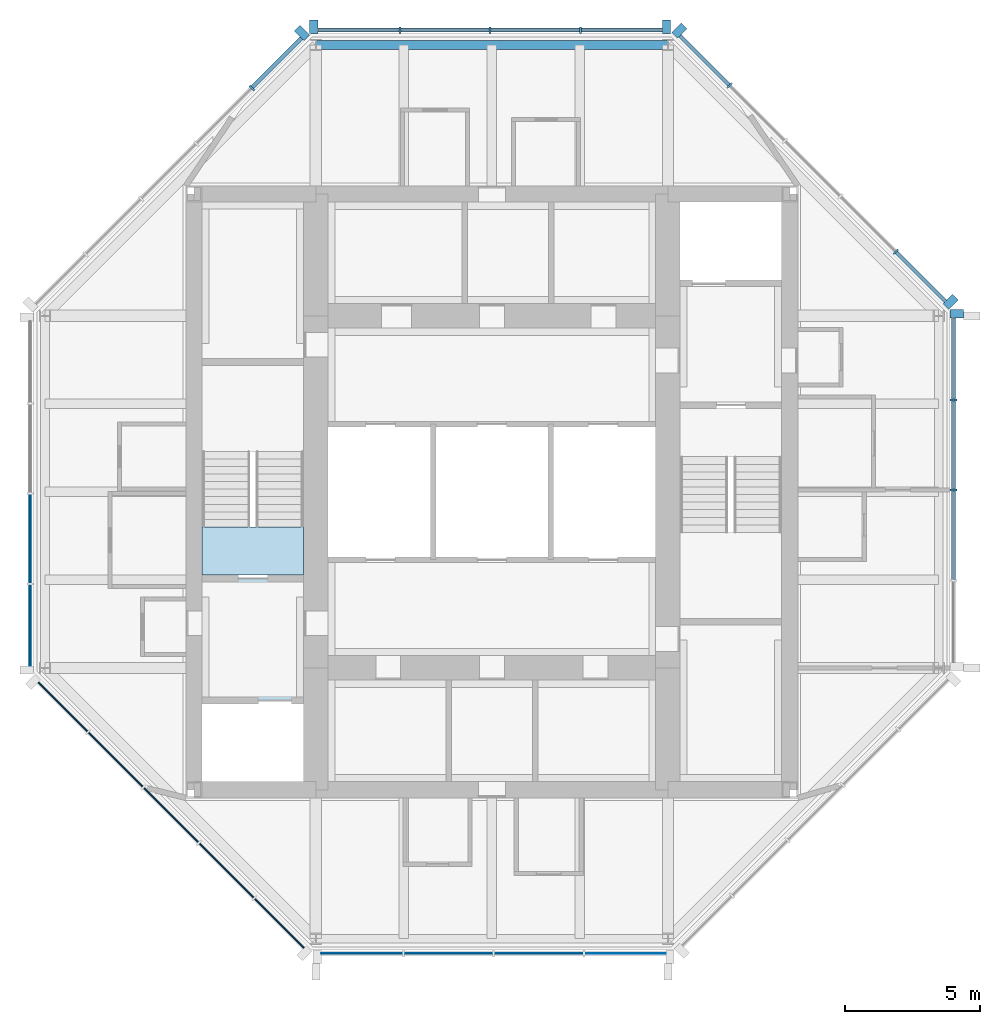
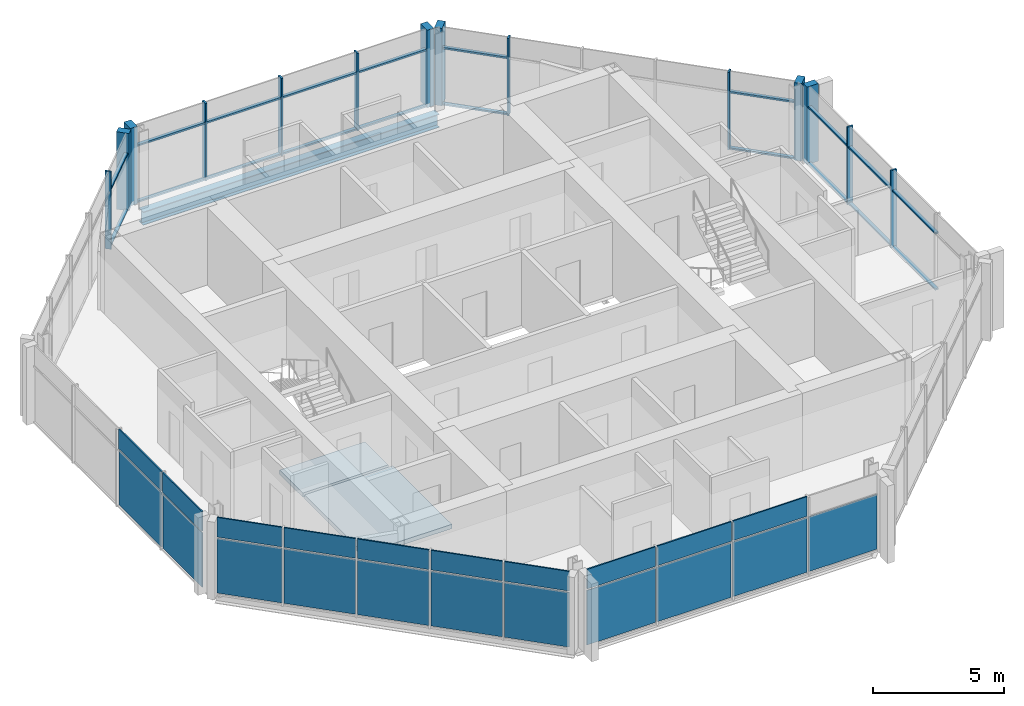
# One storey, part 3 of 8: 34 members, 21 plates, 2 slabs, 1 beam, 8 elements without a shape of their own.
"""IFC4 building model written with IfcOpenShell, lengths in metres."""

from ifc_helpers import new_model, si_unit, direction, frame, origin, origin_2d, place, context, subcontext, project, spatial, polyline, rectangle, i_section, outline, extrude, material, layer, layer_set, material_profile, profile_set, type_object, element, aggregate, save


model = new_model("IFC4")

# Units and contexts
model_context = context("Model", 3, precision=1e-05, world=origin(), true_north=direction((0.0, 1.0)))
body_context = subcontext(model_context, "Body", "Model", "MODEL_VIEW")
ifc_project = project(units=[si_unit("LENGTHUNIT", "METRE"), si_unit("AREAUNIT", "SQUARE_METRE"), si_unit("VOLUMEUNIT", "CUBIC_METRE"), si_unit("PLANEANGLEUNIT", "RADIAN"), si_unit("MASSUNIT", "GRAM", prefix="KILO")], contexts=[model_context])

# Site, building, storey
site_placement = place(None, origin())
site = spatial("IfcSite", under=ifc_project, at=site_placement, CompositionType="ELEMENT")
building_placement = place(site_placement, origin())
building = spatial("IfcBuilding", under=site, at=building_placement, Name="Trevanion Tower", CompositionType="ELEMENT")
storey_placement = place(building_placement, frame((0.0, 0.0, 270.39990234375)))
storey = spatial("IfcBuildingStorey", under=building, at=storey_placement, Name="L66", CompositionType="ELEMENT", Elevation=270.39990234375)

# Curtain wall, members
ifc_material_1 = material(Name="Aluminium and glass", Category="aluminium")
curtain_wall_type = type_object("IfcCurtainWallType", Name="CW4 curtain wall", PredefinedType="USERDEFINED", material=ifc_material_1)
curtain_wall_1_placement = place(storey_placement, origin())
curtain_wall_1 = element("IfcCurtainWall", 1, at=curtain_wall_1_placement, inside=storey, type_object=curtain_wall_type, Name="CW4 L66 0", ObjectType="UNITISED CURTAIN WALL", PredefinedType="USERDEFINED")
ifc_material_2 = material(Name="Aluminium extrusion, anodised bronze", Category="aluminium")
ifc_material_profile_1 = material_profile(ifc_material_2, rectangle(XDim=0.074951171875, YDim=0.25, at=origin_2d()), Name="CW4 mullion")
ifc_profile_set_1 = profile_set([ifc_material_profile_1], Name="Aluminium extrusion, anodised bronze")
member_type_1 = type_object("IfcMemberType", Name="CW4 mullion", PredefinedType="MULLION", material=ifc_profile_set_1)
member_1_placement = place(storey_placement, frame((17.050048828125, 0.06494140625, -0.18994140625), z_axis=(0.0, 0.0, 1.0), x_axis=(0.0, 1.0, 0.0)))
member_1 = element("IfcMember", 2, at=member_1_placement, type_object=member_type_1, Name="CW4 mullion 3", PredefinedType="MULLION", context=body_context, shape_type="SweptSolid", body=[
    extrude(rectangle(XDim=0.074951171875, YDim=0.25, at=origin_2d()), origin(), (0.0, 0.0, 1.0), 3.60009765625),
])
member_2_placement = place(storey_placement, frame((17.050048828125, 3.396484375, -0.18994140625), z_axis=(0.0, 0.0, 1.0), x_axis=(0.0, 1.0, 0.0)))
member_2 = element("IfcMember", 3, at=member_2_placement, type_object=member_type_1, Name="CW4 mullion 4", PredefinedType="MULLION", context=body_context, shape_type="SweptSolid", body=[
    extrude(rectangle(XDim=0.074951171875, YDim=0.25, at=origin_2d()), origin(), (0.0, 0.0, 1.0), 3.60009765625),
])

curtain_wall_2_placement = place(storey_placement, origin())
curtain_wall_2 = element("IfcCurtainWall", 4, at=curtain_wall_2_placement, inside=storey, type_object=curtain_wall_type, Name="CW4 L66 1", ObjectType="UNITISED CURTAIN WALL", PredefinedType="USERDEFINED")
member_3_placement = place(storey_placement, frame((14.912109375, 8.86572265625, -0.18994140625), z_axis=(0.0, 0.0, 1.0), x_axis=(-0.707106781187, 0.707106781187, 0.0)))
member_3 = element("IfcMember", 5, at=member_3_placement, type_object=member_type_1, Name="CW4 mullion 2", PredefinedType="MULLION", context=body_context, shape_type="SweptSolid", body=[
    extrude(rectangle(XDim=0.074951171875, YDim=0.25, at=origin_2d()), origin(), (0.0, 0.0, 1.0), 3.60009765625),
])
member_4_placement = place(storey_placement, frame((8.77392578125, 15.00390625, -0.18994140625), z_axis=(0.0, 0.0, 1.0), x_axis=(-0.707106781187, 0.707106781187, 0.0)))
member_4 = element("IfcMember", 6, at=member_4_placement, type_object=member_type_1, Name="CW4 mullion 5", PredefinedType="MULLION", context=body_context, shape_type="SweptSolid", body=[
    extrude(rectangle(XDim=0.074951171875, YDim=0.25, at=origin_2d()), origin(), (0.0, 0.0, 1.0), 3.60009765625),
])

curtain_wall_3_placement = place(storey_placement, origin())
curtain_wall_3 = element("IfcCurtainWall", 7, at=curtain_wall_3_placement, inside=storey, type_object=curtain_wall_type, Name="CW4 L66 2", ObjectType="UNITISED CURTAIN WALL", PredefinedType="USERDEFINED")
member_5_placement = place(storey_placement, frame((3.266357421875, 17.050048828125, -0.18994140625), z_axis=(0.0, 0.0, 1.0), x_axis=(-1.0, 0.0, 0.0)))
member_5 = element("IfcMember", 8, at=member_5_placement, type_object=member_type_1, Name="CW4 mullion 2", PredefinedType="MULLION", context=body_context, shape_type="SweptSolid", body=[
    extrude(rectangle(XDim=0.074951171875, YDim=0.25, at=origin_2d()), origin(), (0.0, 0.0, 1.0), 3.60009765625),
])
member_6_placement = place(storey_placement, frame((-0.06494140625, 17.050048828125, -0.18994140625), z_axis=(0.0, 0.0, 1.0), x_axis=(-1.0, 0.0, 0.0)))
member_6 = element("IfcMember", 9, at=member_6_placement, type_object=member_type_1, Name="CW4 mullion 3", PredefinedType="MULLION", context=body_context, shape_type="SweptSolid", body=[
    extrude(rectangle(XDim=0.074951171875, YDim=0.25, at=origin_2d()), origin(), (0.0, 0.0, 1.0), 3.60009765625),
])
member_7_placement = place(storey_placement, frame((-3.396484375, 17.050048828125, -0.18994140625), z_axis=(0.0, 0.0, 1.0), x_axis=(-1.0, 0.0, 0.0)))
member_7 = element("IfcMember", 10, at=member_7_placement, type_object=member_type_1, Name="CW4 mullion 4", PredefinedType="MULLION", context=body_context, shape_type="SweptSolid", body=[
    extrude(rectangle(XDim=0.074951171875, YDim=0.25, at=origin_2d()), origin(), (0.0, 0.0, 1.0), 3.60009765625),
])

# Curtain wall, member
curtain_wall_4_placement = place(storey_placement, origin())
curtain_wall_4 = element("IfcCurtainWall", 11, at=curtain_wall_4_placement, inside=storey, type_object=curtain_wall_type, Name="CW4 L66 3", ObjectType="UNITISED CURTAIN WALL", PredefinedType="USERDEFINED")
member_8_placement = place(storey_placement, frame((-8.86572265625, 14.912109375, -0.18994140625), z_axis=(0.0, 0.0, 1.0), x_axis=(-0.707106781187, -0.707106781187, 0.0)))
member_8 = element("IfcMember", 12, at=member_8_placement, type_object=member_type_1, Name="CW4 mullion 2", PredefinedType="MULLION", context=body_context, shape_type="SweptSolid", body=[
    extrude(rectangle(XDim=0.074951171875, YDim=0.25, at=origin_2d()), origin(), (0.0, 0.0, 1.0), 3.60009765625),
])

# Member
ifc_material_3 = material(Name="Aluminium extrusion, anodised bronze", Category="aluminium")
ifc_material_profile_2 = material_profile(ifc_material_3, rectangle(XDim=0.300048828125, YDim=0.5, at=origin_2d()), Name="CW4 pier mullion")
ifc_profile_set_2 = profile_set([ifc_material_profile_2], Name="Aluminium extrusion, anodised bronze")
member_type_2 = type_object("IfcMemberType", Name="CW4 pier mullion", PredefinedType="MULLION", material=ifc_profile_set_2)
member_9_placement = place(storey_placement, frame((17.175048828125, 6.577880859375, -0.18994140625), z_axis=(0.0, 0.0, 1.0), x_axis=(0.0, 1.0, 0.0)))
member_9 = element("IfcMember", 13, at=member_9_placement, type_object=member_type_2, Name="CW4 pier mullion 5", PredefinedType="MULLION", context=body_context, shape_type="SweptSolid", body=[
    extrude(rectangle(XDim=0.300048828125, YDim=0.5, at=origin_2d()), origin(), (0.0, 0.0, 1.0), 3.60009765625),
])

member_10_placement = place(storey_placement, frame((16.9404296875, 7.01416015625, -0.18994140625), z_axis=(0.0, 0.0, 1.0), x_axis=(-0.707106781187, 0.707106781187, 0.0)))
member_10 = element("IfcMember", 14, at=member_10_placement, type_object=member_type_2, Name="CW4 pier mullion 1", PredefinedType="MULLION", context=body_context, shape_type="SweptSolid", body=[
    extrude(rectangle(XDim=0.300048828125, YDim=0.5, at=origin_2d()), origin(), (0.0, 0.0, 1.0), 3.60009765625),
])

member_11_placement = place(storey_placement, frame((6.92236328125, 17.0322265625, -0.18994140625), z_axis=(0.0, 0.0, 1.0), x_axis=(-0.707106781187, 0.707106781187, 0.0)))
member_11 = element("IfcMember", 15, at=member_11_placement, type_object=member_type_2, Name="CW4 pier mullion 6", PredefinedType="MULLION", context=body_context, shape_type="SweptSolid", body=[
    extrude(rectangle(XDim=0.300048828125, YDim=0.5, at=origin_2d()), origin(), (0.0, 0.0, 1.0), 3.60009765625),
])

member_12_placement = place(storey_placement, frame((6.44775390625, 17.175048828125, -0.18994140625), z_axis=(0.0, 0.0, 1.0), x_axis=(-1.0, 0.0, 0.0)))
member_12 = element("IfcMember", 16, at=member_12_placement, type_object=member_type_2, Name="CW4 pier mullion 1", PredefinedType="MULLION", context=body_context, shape_type="SweptSolid", body=[
    extrude(rectangle(XDim=0.300048828125, YDim=0.5, at=origin_2d()), origin(), (0.0, 0.0, 1.0), 3.60009765625),
])

member_13_placement = place(storey_placement, frame((-6.577880859375, 17.175048828125, -0.18994140625), z_axis=(0.0, 0.0, 1.0), x_axis=(-1.0, 0.0, 0.0)))
member_13 = element("IfcMember", 17, at=member_13_placement, type_object=member_type_2, Name="CW4 pier mullion 5", PredefinedType="MULLION", context=body_context, shape_type="SweptSolid", body=[
    extrude(rectangle(XDim=0.300048828125, YDim=0.5, at=origin_2d()), origin(), (0.0, 0.0, 1.0), 3.60009765625),
])

member_14_placement = place(storey_placement, frame((-7.01416015625, 16.9404296875, -0.18994140625), z_axis=(0.0, 0.0, 1.0), x_axis=(-0.707106781187, -0.707106781187, 0.0)))
member_14 = element("IfcMember", 18, at=member_14_placement, type_object=member_type_2, Name="CW4 pier mullion 1", PredefinedType="MULLION", context=body_context, shape_type="SweptSolid", body=[
    extrude(rectangle(XDim=0.300048828125, YDim=0.5, at=origin_2d()), origin(), (0.0, 0.0, 1.0), 3.60009765625),
])

ifc_material_4 = material(Name="Aluminium extrusion, anodised bronze", Category="aluminium")
ifc_material_profile_3 = material_profile(ifc_material_4, rectangle(XDim=0.14990234375, YDim=0.074951171875, at=origin_2d()), Name="CW4 transom")
ifc_profile_set_3 = profile_set([ifc_material_profile_3], Name="Aluminium extrusion, anodised bronze")
member_type_3 = type_object("IfcMemberType", Name="CW4 transom", PredefinedType="USERDEFINED", material=ifc_profile_set_3)
member_15_placement = place(storey_placement, frame((17.050048828125, -3.22900390625, -0.15234375), z_axis=(0.0, 1.0, 0.0), x_axis=(-1.0, 0.0, 0.0)))
member_15 = element("IfcMember", 19, at=member_15_placement, type_object=member_type_3, Name="CW4 transom 2.1", ObjectType="TRANSOM", PredefinedType="USERDEFINED", context=body_context, shape_type="SweptSolid", body=[
    extrude(rectangle(XDim=0.14990234375, YDim=0.074951171875, at=origin_2d()), origin(), (0.0, 0.0, 1.0), 3.256591796875),
])

member_16_placement = place(storey_placement, frame((17.050048828125, -3.22900390625, 2.460205078125), z_axis=(0.0, 1.0, 0.0), x_axis=(-1.0, 0.0, 0.0)))
member_16 = element("IfcMember", 20, at=member_16_placement, type_object=member_type_3, Name="CW4 transom 2.2", ObjectType="TRANSOM", PredefinedType="USERDEFINED", context=body_context, shape_type="SweptSolid", body=[
    extrude(rectangle(XDim=0.14990234375, YDim=0.074951171875, at=origin_2d()), origin(), (0.0, 0.0, 1.0), 3.256591796875),
])

member_17_placement = place(storey_placement, frame((17.050048828125, 0.1025390625, -0.15234375), z_axis=(0.0, 1.0, 0.0), x_axis=(-1.0, 0.0, 0.0)))
member_17 = element("IfcMember", 21, at=member_17_placement, type_object=member_type_3, Name="CW4 transom 3.1", ObjectType="TRANSOM", PredefinedType="USERDEFINED", context=body_context, shape_type="SweptSolid", body=[
    extrude(rectangle(XDim=0.14990234375, YDim=0.074951171875, at=origin_2d()), origin(), (0.0, 0.0, 1.0), 3.25634765625),
])

member_18_placement = place(storey_placement, frame((17.050048828125, 0.1025390625, 2.460205078125), z_axis=(0.0, 1.0, 0.0), x_axis=(-1.0, 0.0, 0.0)))
member_18 = element("IfcMember", 22, at=member_18_placement, type_object=member_type_3, Name="CW4 transom 3.2", ObjectType="TRANSOM", PredefinedType="USERDEFINED", context=body_context, shape_type="SweptSolid", body=[
    extrude(rectangle(XDim=0.14990234375, YDim=0.074951171875, at=origin_2d()), origin(), (0.0, 0.0, 1.0), 3.25634765625),
])

member_19_placement = place(storey_placement, frame((17.050048828125, 3.433837890625, -0.15234375), z_axis=(0.0, 1.0, 0.0), x_axis=(-1.0, 0.0, 0.0)))
member_19 = element("IfcMember", 23, at=member_19_placement, type_object=member_type_3, Name="CW4 transom 4.1", ObjectType="TRANSOM", PredefinedType="USERDEFINED", context=body_context, shape_type="SweptSolid", body=[
    extrude(rectangle(XDim=0.14990234375, YDim=0.074951171875, at=origin_2d()), origin(), (0.0, 0.0, 1.0), 2.993896484375),
])

member_20_placement = place(storey_placement, frame((17.050048828125, 3.433837890625, 2.460205078125), z_axis=(0.0, 1.0, 0.0), x_axis=(-1.0, 0.0, 0.0)))
member_20 = element("IfcMember", 24, at=member_20_placement, type_object=member_type_3, Name="CW4 transom 4.2", ObjectType="TRANSOM", PredefinedType="USERDEFINED", context=body_context, shape_type="SweptSolid", body=[
    extrude(rectangle(XDim=0.14990234375, YDim=0.074951171875, at=origin_2d()), origin(), (0.0, 0.0, 1.0), 2.993896484375),
])

aggregate(curtain_wall_1, [member_1, member_2, member_9, member_15, member_16, member_17, member_18, member_19, member_20])

member_21_placement = place(storey_placement, frame((16.745849609375, 7.031982421875, -0.15234375), z_axis=(-0.707106781187, 0.707106781187, 0.0), x_axis=(-0.707106781187, -0.707106781187, 0.0)))
member_21 = element("IfcMember", 25, at=member_21_placement, type_object=member_type_3, Name="CW4 transom 1.1", ObjectType="TRANSOM", PredefinedType="USERDEFINED", context=body_context, shape_type="SweptSolid", body=[
    extrude(rectangle(XDim=0.14990234375, YDim=0.074951171875, at=origin_2d()), origin(), (0.0, 0.0, 1.0), 2.555908203125),
])

member_22_placement = place(storey_placement, frame((16.745849609375, 7.031982421875, 2.460205078125), z_axis=(-0.707106781187, 0.707106781187, 0.0), x_axis=(-0.707106781187, -0.707106781187, 0.0)))
member_22 = element("IfcMember", 26, at=member_22_placement, type_object=member_type_3, Name="CW4 transom 1.2", ObjectType="TRANSOM", PredefinedType="USERDEFINED", context=body_context, shape_type="SweptSolid", body=[
    extrude(rectangle(XDim=0.14990234375, YDim=0.074951171875, at=origin_2d()), origin(), (0.0, 0.0, 1.0), 2.555908203125),
])

member_23_placement = place(storey_placement, frame((8.747314453125, 15.030517578125, -0.15234375), z_axis=(-0.707106781187, 0.707106781187, 0.0), x_axis=(-0.707106781187, -0.707106781187, 0.0)))
member_23 = element("IfcMember", 27, at=member_23_placement, type_object=member_type_3, Name="CW4 transom 5.1", ObjectType="TRANSOM", PredefinedType="USERDEFINED", context=body_context, shape_type="SweptSolid", body=[
    extrude(rectangle(XDim=0.14990234375, YDim=0.074951171875, at=origin_2d()), origin(), (0.0, 0.0, 1.0), 2.555908203125),
])

member_24_placement = place(storey_placement, frame((8.747314453125, 15.030517578125, 2.460205078125), z_axis=(-0.707106781187, 0.707106781187, 0.0), x_axis=(-0.707106781187, -0.707106781187, 0.0)))
member_24 = element("IfcMember", 28, at=member_24_placement, type_object=member_type_3, Name="CW4 transom 5.2", ObjectType="TRANSOM", PredefinedType="USERDEFINED", context=body_context, shape_type="SweptSolid", body=[
    extrude(rectangle(XDim=0.14990234375, YDim=0.074951171875, at=origin_2d()), origin(), (0.0, 0.0, 1.0), 2.555908203125),
])

aggregate(curtain_wall_2, [member_10, member_3, member_4, member_11, member_21, member_22, member_23, member_24])

member_25_placement = place(storey_placement, frame((6.2978515625, 17.050048828125, -0.15234375), z_axis=(-1.0, 0.0, 0.0), x_axis=(0.0, -1.0, 0.0)))
member_25 = element("IfcMember", 29, at=member_25_placement, type_object=member_type_3, Name="CW4 transom 1.1", ObjectType="TRANSOM", PredefinedType="USERDEFINED", context=body_context, shape_type="SweptSolid", body=[
    extrude(rectangle(XDim=0.14990234375, YDim=0.074951171875, at=origin_2d()), origin(), (0.0, 0.0, 1.0), 2.993896484375),
])

member_26_placement = place(storey_placement, frame((6.2978515625, 17.050048828125, 2.460205078125), z_axis=(-1.0, 0.0, 0.0), x_axis=(0.0, -1.0, 0.0)))
member_26 = element("IfcMember", 30, at=member_26_placement, type_object=member_type_3, Name="CW4 transom 1.2", ObjectType="TRANSOM", PredefinedType="USERDEFINED", context=body_context, shape_type="SweptSolid", body=[
    extrude(rectangle(XDim=0.14990234375, YDim=0.074951171875, at=origin_2d()), origin(), (0.0, 0.0, 1.0), 2.993896484375),
])

member_27_placement = place(storey_placement, frame((3.22900390625, 17.050048828125, -0.15234375), z_axis=(-1.0, 0.0, 0.0), x_axis=(0.0, -1.0, 0.0)))
member_27 = element("IfcMember", 31, at=member_27_placement, type_object=member_type_3, Name="CW4 transom 2.1", ObjectType="TRANSOM", PredefinedType="USERDEFINED", context=body_context, shape_type="SweptSolid", body=[
    extrude(rectangle(XDim=0.14990234375, YDim=0.074951171875, at=origin_2d()), origin(), (0.0, 0.0, 1.0), 3.256591796875),
])

member_28_placement = place(storey_placement, frame((3.22900390625, 17.050048828125, 2.460205078125), z_axis=(-1.0, 0.0, 0.0), x_axis=(0.0, -1.0, 0.0)))
member_28 = element("IfcMember", 32, at=member_28_placement, type_object=member_type_3, Name="CW4 transom 2.2", ObjectType="TRANSOM", PredefinedType="USERDEFINED", context=body_context, shape_type="SweptSolid", body=[
    extrude(rectangle(XDim=0.14990234375, YDim=0.074951171875, at=origin_2d()), origin(), (0.0, 0.0, 1.0), 3.256591796875),
])

member_29_placement = place(storey_placement, frame((-0.1025390625, 17.050048828125, -0.15234375), z_axis=(-1.0, 0.0, 0.0), x_axis=(0.0, -1.0, 0.0)))
member_29 = element("IfcMember", 33, at=member_29_placement, type_object=member_type_3, Name="CW4 transom 3.1", ObjectType="TRANSOM", PredefinedType="USERDEFINED", context=body_context, shape_type="SweptSolid", body=[
    extrude(rectangle(XDim=0.14990234375, YDim=0.074951171875, at=origin_2d()), origin(), (0.0, 0.0, 1.0), 3.25634765625),
])

member_30_placement = place(storey_placement, frame((-0.1025390625, 17.050048828125, 2.460205078125), z_axis=(-1.0, 0.0, 0.0), x_axis=(0.0, -1.0, 0.0)))
member_30 = element("IfcMember", 34, at=member_30_placement, type_object=member_type_3, Name="CW4 transom 3.2", ObjectType="TRANSOM", PredefinedType="USERDEFINED", context=body_context, shape_type="SweptSolid", body=[
    extrude(rectangle(XDim=0.14990234375, YDim=0.074951171875, at=origin_2d()), origin(), (0.0, 0.0, 1.0), 3.25634765625),
])

member_31_placement = place(storey_placement, frame((-3.433837890625, 17.050048828125, -0.15234375), z_axis=(-1.0, 0.0, 0.0), x_axis=(0.0, -1.0, 0.0)))
member_31 = element("IfcMember", 35, at=member_31_placement, type_object=member_type_3, Name="CW4 transom 4.1", ObjectType="TRANSOM", PredefinedType="USERDEFINED", context=body_context, shape_type="SweptSolid", body=[
    extrude(rectangle(XDim=0.14990234375, YDim=0.074951171875, at=origin_2d()), origin(), (0.0, 0.0, 1.0), 2.993896484375),
])

member_32_placement = place(storey_placement, frame((-3.433837890625, 17.050048828125, 2.460205078125), z_axis=(-1.0, 0.0, 0.0), x_axis=(0.0, -1.0, 0.0)))
member_32 = element("IfcMember", 36, at=member_32_placement, type_object=member_type_3, Name="CW4 transom 4.2", ObjectType="TRANSOM", PredefinedType="USERDEFINED", context=body_context, shape_type="SweptSolid", body=[
    extrude(rectangle(XDim=0.14990234375, YDim=0.074951171875, at=origin_2d()), origin(), (0.0, 0.0, 1.0), 2.993896484375),
])

aggregate(curtain_wall_3, [member_12, member_5, member_6, member_7, member_13, member_25, member_26, member_27, member_28, member_29, member_30, member_31, member_32])

member_33_placement = place(storey_placement, frame((-7.031982421875, 16.745849609375, -0.15234375), z_axis=(-0.707106781187, -0.707106781187, 0.0), x_axis=(0.707106781187, -0.707106781187, 0.0)))
member_33 = element("IfcMember", 37, at=member_33_placement, type_object=member_type_3, Name="CW4 transom 1.1", ObjectType="TRANSOM", PredefinedType="USERDEFINED", context=body_context, shape_type="SweptSolid", body=[
    extrude(rectangle(XDim=0.14990234375, YDim=0.074951171875, at=origin_2d()), origin(), (0.0, 0.0, 1.0), 2.555908203125),
])

member_34_placement = place(storey_placement, frame((-7.031982421875, 16.745849609375, 2.460205078125), z_axis=(-0.707106781187, -0.707106781187, 0.0), x_axis=(0.707106781187, -0.707106781187, 0.0)))
member_34 = element("IfcMember", 38, at=member_34_placement, type_object=member_type_3, Name="CW4 transom 1.2", ObjectType="TRANSOM", PredefinedType="USERDEFINED", context=body_context, shape_type="SweptSolid", body=[
    extrude(rectangle(XDim=0.14990234375, YDim=0.074951171875, at=origin_2d()), origin(), (0.0, 0.0, 1.0), 2.555908203125),
])

aggregate(curtain_wall_4, [member_14, member_8, member_33, member_34])

# Beam
ifc_material_5 = material(Name="Steel ASTM A992 Grade 50", Category="steel")
ifc_material_profile_4 = material_profile(ifc_material_5, i_section(OverallWidth=0.32763671875, OverallDepth=0.622314453125, WebThickness=0.015380859375, FlangeThickness=0.0244140625, at=origin_2d()), Name="W24X131")
ifc_profile_set_4 = profile_set([ifc_material_profile_4], Name="Steel ASTM A992 Grade 50")
beam_type = type_object("IfcBeamType", Name="SB12 W24X131", PredefinedType="SPANDREL", material=ifc_profile_set_4)
beam_placement = place(storey_placement, frame((6.5, 16.5, -0.501220703125), z_axis=(-1.0, 0.0, 0.0), x_axis=(0.0, -1.0, 0.0)))
element("IfcBeam", 39, at=beam_placement, inside=storey, type_object=beam_type, Name="SB12 L66", PredefinedType="SPANDREL", context=body_context, shape_type="SweptSolid", body=[
    extrude(i_section(OverallWidth=0.32763671875, OverallDepth=0.622314453125, WebThickness=0.015380859375, FlangeThickness=0.0244140625, at=origin_2d()), origin(), (0.0, 0.0, 1.0), 13.0),
])

# Curtain wall, plates
curtain_wall_5_placement = place(storey_placement, origin())
curtain_wall_5 = element("IfcCurtainWall", 40, at=curtain_wall_5_placement, inside=storey, type_object=curtain_wall_type, Name="CW4 L66 4", ObjectType="UNITISED CURTAIN WALL", PredefinedType="USERDEFINED")
ifc_material_6 = material(Name="Aluminium spandrel panel", Category="aluminium")
ifc_layer_1 = layer(ifc_material_6, 0.06005859375)
ifc_layer_set_1 = layer_set([ifc_layer_1], Name="CW4 spandrel panel")
plate_type_1 = type_object("IfcPlateType", Name="CW4 spandrel panel", PredefinedType="CURTAIN_PANEL", material=ifc_layer_set_1)
plate_1_placement = place(storey_placement, frame((-17.050048828125, -1.730712890625, 2.49755859375), z_axis=(0.0, 0.0, 1.0), x_axis=(0.0, -1.0, 0.0)))
plate_1 = element("IfcPlate", 41, at=plate_1_placement, type_object=plate_type_1, Name="CW4 panel 3.2", PredefinedType="CURTAIN_PANEL", context=body_context, shape_type="SweptSolid", body=[
    extrude(rectangle(XDim=3.25634765625, YDim=0.06005859375, at=origin_2d()), origin(), (0.0, 0.0, 1.0), 0.91259765625),
])
plate_2_placement = place(storey_placement, frame((-17.050048828125, -4.930908203125, 2.49755859375), z_axis=(0.0, 0.0, 1.0), x_axis=(0.0, -1.0, 0.0)))
plate_2 = element("IfcPlate", 42, at=plate_2_placement, type_object=plate_type_1, Name="CW4 panel 4.2", PredefinedType="CURTAIN_PANEL", context=body_context, shape_type="SweptSolid", body=[
    extrude(rectangle(XDim=2.993896484375, YDim=0.06005859375, at=origin_2d()), origin(), (0.0, 0.0, 1.0), 0.91259765625),
])

curtain_wall_6_placement = place(storey_placement, origin())
curtain_wall_6 = element("IfcCurtainWall", 43, at=curtain_wall_6_placement, inside=storey, type_object=curtain_wall_type, Name="CW4 L66 5", ObjectType="UNITISED CURTAIN WALL", PredefinedType="USERDEFINED")
plate_3_placement = place(storey_placement, frame((-15.84228515625, -7.935546875, 2.49755859375), z_axis=(0.0, 0.0, 1.0), x_axis=(0.707106781187, -0.707106781187, 0.0)))
plate_3 = element("IfcPlate", 44, at=plate_3_placement, type_object=plate_type_1, Name="CW4 panel 1.2", PredefinedType="CURTAIN_PANEL", context=body_context, shape_type="SweptSolid", body=[
    extrude(rectangle(XDim=2.55615234375, YDim=0.06005859375, at=origin_2d()), origin(), (0.0, 0.0, 1.0), 0.91259765625),
])
plate_4_placement = place(storey_placement, frame((-13.888916015625, -9.888916015625, 2.49755859375), z_axis=(0.0, 0.0, 1.0), x_axis=(0.707106781187, -0.707106781187, 0.0)))
plate_4 = element("IfcPlate", 45, at=plate_4_placement, type_object=plate_type_1, Name="CW4 panel 2.2", PredefinedType="CURTAIN_PANEL", context=body_context, shape_type="SweptSolid", body=[
    extrude(rectangle(XDim=2.818603515625, YDim=0.06005859375, at=origin_2d()), origin(), (0.0, 0.0, 1.0), 0.91259765625),
])
plate_5_placement = place(storey_placement, frame((-11.843017578125, -11.934814453125, 2.49755859375), z_axis=(0.0, 0.0, 1.0), x_axis=(0.707106781187, -0.707106781187, 0.0)))
plate_5 = element("IfcPlate", 46, at=plate_5_placement, type_object=plate_type_1, Name="CW4 panel 3.2", PredefinedType="CURTAIN_PANEL", context=body_context, shape_type="SweptSolid", body=[
    extrude(rectangle(XDim=2.818603515625, YDim=0.06005859375, at=origin_2d()), origin(), (0.0, 0.0, 1.0), 0.91259765625),
])
plate_6_placement = place(storey_placement, frame((-9.796875, -13.98095703125, 2.49755859375), z_axis=(0.0, 0.0, 1.0), x_axis=(0.707106781187, -0.707106781187, 0.0)))
plate_6 = element("IfcPlate", 47, at=plate_6_placement, type_object=plate_type_1, Name="CW4 panel 4.2", PredefinedType="CURTAIN_PANEL", context=body_context, shape_type="SweptSolid", body=[
    extrude(rectangle(XDim=2.818603515625, YDim=0.06005859375, at=origin_2d()), origin(), (0.0, 0.0, 1.0), 0.91259765625),
])
plate_7_placement = place(storey_placement, frame((-7.84375, -15.93408203125, 2.49755859375), z_axis=(0.0, 0.0, 1.0), x_axis=(0.707106781187, -0.707106781187, 0.0)))
plate_7 = element("IfcPlate", 48, at=plate_7_placement, type_object=plate_type_1, Name="CW4 panel 5.2", PredefinedType="CURTAIN_PANEL", context=body_context, shape_type="SweptSolid", body=[
    extrude(rectangle(XDim=2.55615234375, YDim=0.06005859375, at=origin_2d()), origin(), (0.0, 0.0, 1.0), 0.91259765625),
])

curtain_wall_7_placement = place(storey_placement, origin())
curtain_wall_7 = element("IfcCurtainWall", 49, at=curtain_wall_7_placement, inside=storey, type_object=curtain_wall_type, Name="CW4 L66 6", ObjectType="UNITISED CURTAIN WALL", PredefinedType="USERDEFINED")
plate_8_placement = place(storey_placement, frame((-4.80078125, -17.050048828125, 2.49755859375), z_axis=(0.0, 0.0, 1.0), x_axis=(1.0, 0.0, 0.0)))
plate_8 = element("IfcPlate", 50, at=plate_8_placement, type_object=plate_type_1, Name="CW4 panel 1.2", PredefinedType="CURTAIN_PANEL", context=body_context, shape_type="SweptSolid", body=[
    extrude(rectangle(XDim=2.993896484375, YDim=0.06005859375, at=origin_2d()), origin(), (0.0, 0.0, 1.0), 0.91259765625),
])
plate_9_placement = place(storey_placement, frame((-1.6005859375, -17.050048828125, 2.49755859375), z_axis=(0.0, 0.0, 1.0), x_axis=(1.0, 0.0, 0.0)))
plate_9 = element("IfcPlate", 51, at=plate_9_placement, type_object=plate_type_1, Name="CW4 panel 2.2", PredefinedType="CURTAIN_PANEL", context=body_context, shape_type="SweptSolid", body=[
    extrude(rectangle(XDim=3.25634765625, YDim=0.06005859375, at=origin_2d()), origin(), (0.0, 0.0, 1.0), 0.91259765625),
])
plate_10_placement = place(storey_placement, frame((1.730712890625, -17.050048828125, 2.49755859375), z_axis=(0.0, 0.0, 1.0), x_axis=(1.0, 0.0, 0.0)))
plate_10 = element("IfcPlate", 52, at=plate_10_placement, type_object=plate_type_1, Name="CW4 panel 3.2", PredefinedType="CURTAIN_PANEL", context=body_context, shape_type="SweptSolid", body=[
    extrude(rectangle(XDim=3.25634765625, YDim=0.06005859375, at=origin_2d()), origin(), (0.0, 0.0, 1.0), 0.91259765625),
])

# Plate
ifc_material_7 = material(Name="Insulating glass unit", Category="glass")
ifc_layer_2 = layer(ifc_material_7, 0.028076171875)
ifc_layer_set_2 = layer_set([ifc_layer_2], Name="CW4 vision panel")
plate_type_2 = type_object("IfcPlateType", Name="CW4 vision panel", PredefinedType="CURTAIN_PANEL", material=ifc_layer_set_2)
plate_11_placement = place(storey_placement, frame((-17.050048828125, -1.730712890625, -0.114990234375), z_axis=(0.0, 0.0, 1.0), x_axis=(0.0, -1.0, 0.0)))
plate_11 = element("IfcPlate", 53, at=plate_11_placement, type_object=plate_type_2, Name="CW4 panel 3.1", PredefinedType="CURTAIN_PANEL", context=body_context, shape_type="SweptSolid", body=[
    extrude(rectangle(XDim=3.25634765625, YDim=0.028076171875, at=origin_2d()), origin(), (0.0, 0.0, 1.0), 2.53759765625),
])

plate_12_placement = place(storey_placement, frame((-17.050048828125, -4.930908203125, -0.114990234375), z_axis=(0.0, 0.0, 1.0), x_axis=(0.0, -1.0, 0.0)))
plate_12 = element("IfcPlate", 54, at=plate_12_placement, type_object=plate_type_2, Name="CW4 panel 4.1", PredefinedType="CURTAIN_PANEL", context=body_context, shape_type="SweptSolid", body=[
    extrude(rectangle(XDim=2.993896484375, YDim=0.028076171875, at=origin_2d()), origin(), (0.0, 0.0, 1.0), 2.53759765625),
])

aggregate(curtain_wall_5, [plate_11, plate_1, plate_12, plate_2])

plate_13_placement = place(storey_placement, frame((-15.84228515625, -7.935546875, -0.114990234375), z_axis=(0.0, 0.0, 1.0), x_axis=(0.707106781187, -0.707106781187, 0.0)))
plate_13 = element("IfcPlate", 55, at=plate_13_placement, type_object=plate_type_2, Name="CW4 panel 1.1", PredefinedType="CURTAIN_PANEL", context=body_context, shape_type="SweptSolid", body=[
    extrude(rectangle(XDim=2.55615234375, YDim=0.028076171875, at=origin_2d()), origin(), (0.0, 0.0, 1.0), 2.53759765625),
])

plate_14_placement = place(storey_placement, frame((-13.888916015625, -9.888916015625, -0.114990234375), z_axis=(0.0, 0.0, 1.0), x_axis=(0.707106781187, -0.707106781187, 0.0)))
plate_14 = element("IfcPlate", 56, at=plate_14_placement, type_object=plate_type_2, Name="CW4 panel 2.1", PredefinedType="CURTAIN_PANEL", context=body_context, shape_type="SweptSolid", body=[
    extrude(rectangle(XDim=2.818603515625, YDim=0.028076171875, at=origin_2d()), origin(), (0.0, 0.0, 1.0), 2.53759765625),
])

plate_15_placement = place(storey_placement, frame((-11.843017578125, -11.934814453125, -0.114990234375), z_axis=(0.0, 0.0, 1.0), x_axis=(0.707106781187, -0.707106781187, 0.0)))
plate_15 = element("IfcPlate", 57, at=plate_15_placement, type_object=plate_type_2, Name="CW4 panel 3.1", PredefinedType="CURTAIN_PANEL", context=body_context, shape_type="SweptSolid", body=[
    extrude(rectangle(XDim=2.818603515625, YDim=0.028076171875, at=origin_2d()), origin(), (0.0, 0.0, 1.0), 2.53759765625),
])

plate_16_placement = place(storey_placement, frame((-9.796875, -13.98095703125, -0.114990234375), z_axis=(0.0, 0.0, 1.0), x_axis=(0.707106781187, -0.707106781187, 0.0)))
plate_16 = element("IfcPlate", 58, at=plate_16_placement, type_object=plate_type_2, Name="CW4 panel 4.1", PredefinedType="CURTAIN_PANEL", context=body_context, shape_type="SweptSolid", body=[
    extrude(rectangle(XDim=2.818603515625, YDim=0.028076171875, at=origin_2d()), origin(), (0.0, 0.0, 1.0), 2.53759765625),
])

plate_17_placement = place(storey_placement, frame((-7.84375, -15.93408203125, -0.114990234375), z_axis=(0.0, 0.0, 1.0), x_axis=(0.707106781187, -0.707106781187, 0.0)))
plate_17 = element("IfcPlate", 59, at=plate_17_placement, type_object=plate_type_2, Name="CW4 panel 5.1", PredefinedType="CURTAIN_PANEL", context=body_context, shape_type="SweptSolid", body=[
    extrude(rectangle(XDim=2.55615234375, YDim=0.028076171875, at=origin_2d()), origin(), (0.0, 0.0, 1.0), 2.53759765625),
])

aggregate(curtain_wall_6, [plate_13, plate_3, plate_14, plate_4, plate_15, plate_5, plate_16, plate_6, plate_17, plate_7])

plate_18_placement = place(storey_placement, frame((-4.80078125, -17.050048828125, -0.114990234375), z_axis=(0.0, 0.0, 1.0), x_axis=(1.0, 0.0, 0.0)))
plate_18 = element("IfcPlate", 60, at=plate_18_placement, type_object=plate_type_2, Name="CW4 panel 1.1", PredefinedType="CURTAIN_PANEL", context=body_context, shape_type="SweptSolid", body=[
    extrude(rectangle(XDim=2.993896484375, YDim=0.028076171875, at=origin_2d()), origin(), (0.0, 0.0, 1.0), 2.53759765625),
])

plate_19_placement = place(storey_placement, frame((-1.6005859375, -17.050048828125, -0.114990234375), z_axis=(0.0, 0.0, 1.0), x_axis=(1.0, 0.0, 0.0)))
plate_19 = element("IfcPlate", 61, at=plate_19_placement, type_object=plate_type_2, Name="CW4 panel 2.1", PredefinedType="CURTAIN_PANEL", context=body_context, shape_type="SweptSolid", body=[
    extrude(rectangle(XDim=3.25634765625, YDim=0.028076171875, at=origin_2d()), origin(), (0.0, 0.0, 1.0), 2.53759765625),
])

plate_20_placement = place(storey_placement, frame((1.730712890625, -17.050048828125, -0.114990234375), z_axis=(0.0, 0.0, 1.0), x_axis=(1.0, 0.0, 0.0)))
plate_20 = element("IfcPlate", 62, at=plate_20_placement, type_object=plate_type_2, Name="CW4 panel 3.1", PredefinedType="CURTAIN_PANEL", context=body_context, shape_type="SweptSolid", body=[
    extrude(rectangle(XDim=3.25634765625, YDim=0.028076171875, at=origin_2d()), origin(), (0.0, 0.0, 1.0), 2.53759765625),
])

plate_21_placement = place(storey_placement, frame((4.930908203125, -17.050048828125, -0.114990234375), z_axis=(0.0, 0.0, 1.0), x_axis=(1.0, 0.0, 0.0)))
plate_21 = element("IfcPlate", 63, at=plate_21_placement, type_object=plate_type_2, Name="CW4 panel 4.1", PredefinedType="CURTAIN_PANEL", context=body_context, shape_type="SweptSolid", body=[
    extrude(rectangle(XDim=2.993896484375, YDim=0.028076171875, at=origin_2d()), origin(), (0.0, 0.0, 1.0), 2.53759765625),
])

aggregate(curtain_wall_7, [plate_18, plate_8, plate_19, plate_9, plate_20, plate_10, plate_21])

# Slab
ifc_material_8 = material(Name="Concrete 5,000 psi", Category="concrete")
ifc_layer_3 = layer(ifc_material_8, 0.199951171875)
ifc_layer_set_3 = layer_set([ifc_layer_3], Name="SL2 core floor 200")
slab_type_1 = type_object("IfcSlabType", Name="SL2 core floor 200", PredefinedType="FLOOR", material=ifc_layer_set_3)
slab_1_placement = place(storey_placement, frame((0.0, 0.0, -0.199951171875)))
element("IfcSlab", 64, at=slab_1_placement, inside=storey, type_object=slab_type_1, Name="SL2 L66 core floor 3", PredefinedType="FLOOR", context=body_context, shape_type="SweptSolid", body=[
    extrude(outline(polyline([(-6.830078125, -3.205078125), (-6.830078125, -7.695068359375), (-10.699951171875, -7.695068359375), (-10.699951171875, -3.205078125), (-6.830078125, -3.205078125)])), origin(), (0.0, 0.0, 1.0), 0.199951171875),
])

# Stair, slab
ifc_material_9 = material(Name="Concrete 5,000 psi on steel stringers", Category="concrete")
stair_type = type_object("IfcStairType", Name="ST stair", PredefinedType="HALF_TURN_STAIR", material=ifc_material_9)
stair_placement = place(storey_placement, origin())
stair = element("IfcStair", 65, at=stair_placement, inside=storey, type_object=stair_type, Name="ST2 L66", PredefinedType="HALF_TURN_STAIR")
ifc_material_10 = material(Name="Concrete 5,000 psi in steel pan", Category="concrete")
ifc_layer_4 = layer(ifc_material_10, 0.199951171875)
ifc_layer_set_4 = layer_set([ifc_layer_4], Name="STL stair landing 200")
slab_type_2 = type_object("IfcSlabType", Name="STL stair landing 200", PredefinedType="LANDING", material=ifc_layer_set_4)
slab_2_placement = place(storey_placement, frame((0.0, 0.0, -0.199951171875)))
slab_2 = element("IfcSlab", 66, at=slab_2_placement, type_object=slab_type_2, Name="ST2 landing 1", PredefinedType="LANDING", context=body_context, shape_type="SweptSolid", body=[
    extrude(outline(polyline([(-6.949951171875, -1.300048828125), (-10.699951171875, -1.300048828125), (-10.699951171875, -3.074951171875), (-6.949951171875, -3.074951171875), (-6.949951171875, -1.300048828125)])), origin(), (0.0, 0.0, 1.0), 0.199951171875),
])
aggregate(stair, [slab_2])

save(model, "model.ifc")
